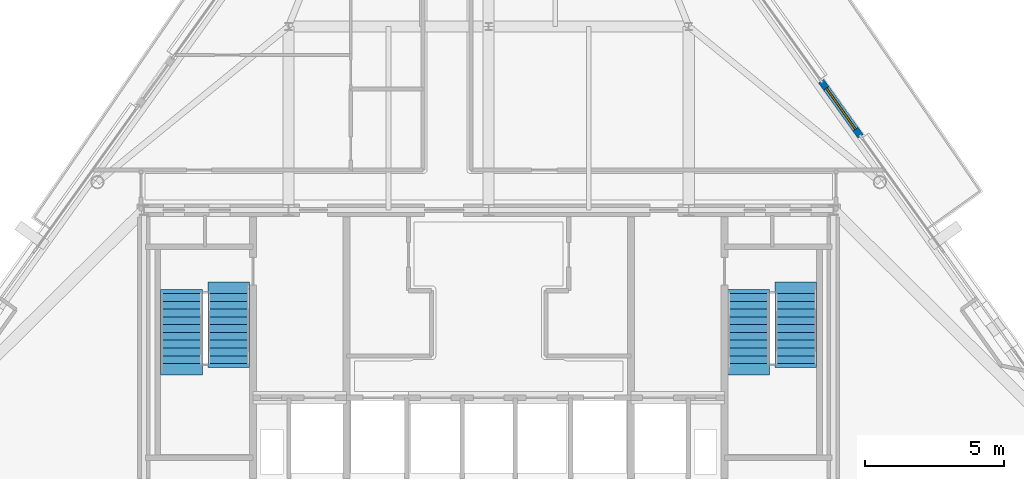
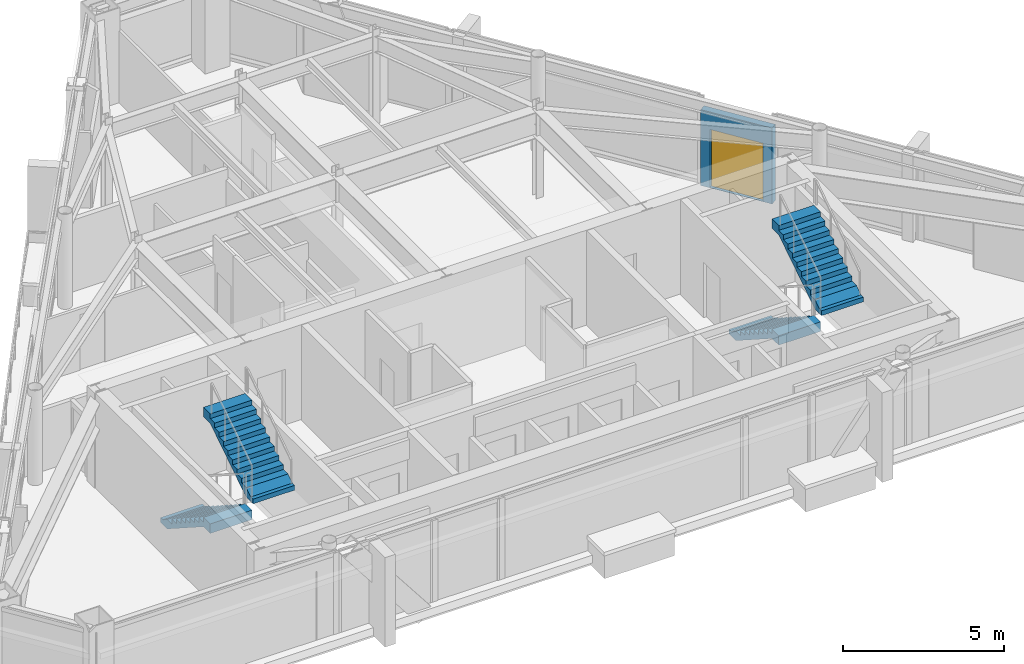
# One storey, part 10 of 12: 4 stair flights, 1 door, 1 wall, 1 opening, 2 elements without a shape of their own.
"""IFC4 building model written with IfcOpenShell, lengths in metres."""

from ifc_helpers import new_model, si_unit, direction, frame, frame_2d, origin, place, context, subcontext, project, spatial, polyline, rectangle, outline, extrude, material, layer, layer_set, type_object, element, fill, aggregate, save


model = new_model("IFC4")

# Units and contexts
model_context = context("Model", 3, precision=1e-05, world=origin(), true_north=direction((0.0, 1.0)))
body_context = subcontext(model_context, "Body", "Model", "MODEL_VIEW")
ifc_project = project(units=[si_unit("LENGTHUNIT", "METRE"), si_unit("AREAUNIT", "SQUARE_METRE"), si_unit("VOLUMEUNIT", "CUBIC_METRE"), si_unit("PLANEANGLEUNIT", "RADIAN"), si_unit("MASSUNIT", "GRAM", prefix="KILO")], contexts=[model_context])

# Site, building, storey
site_placement = place(None, origin())
site = spatial("IfcSite", under=ifc_project, at=site_placement, CompositionType="ELEMENT")
building_placement = place(site_placement, origin())
building = spatial("IfcBuilding", under=site, at=building_placement, Name="Talgorran Terracotta Tower", CompositionType="ELEMENT")
storey_placement = place(building_placement, frame((0.0, 0.0, 270.60009765625)))
storey = spatial("IfcBuildingStorey", under=building, at=storey_placement, Name="L71", CompositionType="ELEMENT", Elevation=270.60009765625)

# Wall, opening, door
ifc_material_1 = material(Name="Concrete C40/50", Category="concrete")
ifc_layer_1 = layer(ifc_material_1, 0.239990234375, Name="WT_BALCONY_SPAND")
ifc_layer_set_1 = layer_set([ifc_layer_1], Name="Concrete C40/50")
wall_type = type_object("IfcWallType", Name="WT_BALCONY_SPAND", PredefinedType="STANDARD", material=ifc_layer_set_1)
wall_placement = place(storey_placement, frame((13.38330078125, -1.546630859375, -0.01513671875), z_axis=(0.0, 0.0, 1.0), x_axis=(-0.58167352525, 0.813422344187, 0.0)))
wall = element("IfcWall", 1, at=wall_placement, inside=storey, type_object=wall_type, Name="WL-L71-BALP-BAL-NE", PredefinedType="STANDARD", context=body_context, shape_type="SweptSolid", body=[
    extrude(rectangle(XDim=2.43994140625, YDim=0.239990234375, at=frame_2d((1.219970703125, 0.0))), origin(), (0.0, 0.0, 1.0), 2.8779296875),
])
opening_placement = place(wall_placement, frame((0.320068359375, 0.0, 0.014892578125)))
opening = element("IfcOpeningElement", 2, at=opening_placement, cuts=wall, Name="Opening D-BAL-L71-1", PredefinedType="OPENING", context=body_context, shape_type="SweptSolid", body=[
    extrude(rectangle(XDim=1.806048828125, YDim=2.203951171875, at=frame_2d((0.89990234375, 1.10205078125))), frame((0.0, 0.1298828125, 0.0), z_axis=(0.0, -1.0, 0.0), x_axis=(1.0, 0.0, 0.0)), (0.0, 0.0, 1.0), 0.260009765625),
])
ifc_material_2 = material(Name="Thermally Broken Aluminium", Category="aluminium")
door_type = type_object("IfcDoorType", Name="DT_BALC_1800", OperationType="SLIDING_TO_LEFT", PredefinedType="DOOR", material=ifc_material_2)
door_placement = place(opening_placement, origin())
door = element("IfcDoor", 3, at=door_placement, inside=storey, type_object=door_type, Name="DR-L71-BAL-BAL-NE", OperationType="SLIDING_TO_LEFT", OverallHeight=2.199951171875, OverallWidth=1.800048828125, PredefinedType="DOOR", context=body_context, shape_type="SweptSolid", body=[
    extrude(rectangle(XDim=1.800048828125, YDim=2.199951171875, at=frame_2d((0.89990234375, 1.10009765625))), frame((0.0, 0.02490234375, 0.0), z_axis=(0.0, -1.0, 0.0), x_axis=(1.0, 0.0, 0.0)), (0.0, 0.0, 1.0), 0.050048828125),
])
fill(opening, door)

# Stair, stair flights
stair_type = type_object("IfcStairType", Name="ST_FIRE_SCISSOR", PredefinedType="HALF_TURN_STAIR", material=ifc_material_1)
stair_1_placement = place(storey_placement, origin())
stair_1 = element("IfcStair", 4, at=stair_1_placement, inside=storey, type_object=stair_type, Name="L71 West Protected Fire Stair ST-01", PredefinedType="HALF_TURN_STAIR")
ifc_layer_2 = layer(ifc_material_1, 0.179931640625, Name="STF_RC_1500")
ifc_layer_set_2 = layer_set([ifc_layer_2], Name="Concrete C40/50")
stair_flight_type = type_object("IfcStairFlightType", Name="STF_RC_1500", PredefinedType="STRAIGHT", material=ifc_layer_set_2)
stair_flight_1_placement = place(storey_placement, frame((-11.050048828125, -7.199951171875, 0.0), z_axis=(0.0, 0.0, 1.0), x_axis=(0.0, -1.0, 0.0)))
stair_flight_1 = element("IfcStairFlight", 5, at=stair_flight_1_placement, type_object=stair_flight_type, Name="ST-01 flight 1", NumberOfRisers=10, NumberOfTreads=9, PredefinedType="STRAIGHT", RiserHeight=0.18, TreadLength=0.28, context=body_context, shape_type="SweptSolid", body=[
    extrude(outline(polyline([(-0.139892578125, 0.0), (-0.139892578125, 0.179931640625), (0.0, 0.179931640625), (0.280029296875, 0.360107421875), (0.56005859375, 0.360107421875), (0.56005859375, 0.5400390625), (0.840087890625, 0.5400390625), (0.840087890625, 0.719970703125), (1.1201171875, 0.719970703125), (1.1201171875, 0.89990234375), (1.39990234375, 0.89990234375), (1.39990234375, 1.080078125), (1.679931640625, 1.080078125), (1.679931640625, 1.260009765625), (1.9599609375, 1.260009765625), (1.9599609375, 1.43994140625), (2.239990234375, 1.43994140625), (2.239990234375, 1.6201171875), (2.52001953125, 1.6201171875), (2.52001953125, 1.800048828125), (2.93994140625, 1.800048828125), (2.93994140625, 1.44189453125), (2.52001953125, 1.44189453125), (0.277099609375, 0.0), (-0.139892578125, 0.0)])), frame((0.0, 0.75, 0.0), z_axis=(0.0, -1.0, 0.0), x_axis=(1.0, 0.0, 0.0)), (0.0, 0.0, 1.0), 1.5),
])
stair_flight_2_placement = place(storey_placement, frame((-9.35009765625, -9.719970703125, 1.7998046875), z_axis=(0.0, 0.0, 1.0), x_axis=(0.0, 1.0, 0.0)))
stair_flight_2 = element("IfcStairFlight", 6, at=stair_flight_2_placement, type_object=stair_flight_type, Name="ST-01 flight 2", NumberOfRisers=10, NumberOfTreads=9, PredefinedType="STRAIGHT", RiserHeight=0.18, TreadLength=0.28, context=body_context, shape_type="SweptSolid", body=[
    extrude(outline(polyline([(-0.139892578125, 0.0), (-0.139892578125, 0.179931640625), (0.0, 0.179931640625), (0.280029296875, 0.360107421875), (0.56005859375, 0.360107421875), (0.56005859375, 0.5400390625), (0.840087890625, 0.5400390625), (0.840087890625, 0.719970703125), (1.1201171875, 0.719970703125), (1.1201171875, 0.89990234375), (1.39990234375, 0.89990234375), (1.39990234375, 1.080078125), (1.679931640625, 1.080078125), (1.679931640625, 1.260009765625), (1.9599609375, 1.260009765625), (1.9599609375, 1.43994140625), (2.239990234375, 1.43994140625), (2.239990234375, 1.6201171875), (2.52001953125, 1.6201171875), (2.52001953125, 1.800048828125), (2.93994140625, 1.800048828125), (2.93994140625, 1.44189453125), (2.52001953125, 1.44189453125), (0.277099609375, 0.0), (-0.139892578125, 0.0)])), frame((0.0, 0.75, 0.0), z_axis=(0.0, -1.0, 0.0), x_axis=(1.0, 0.0, 0.0)), (0.0, 0.0, 1.0), 1.5),
])
aggregate(stair_1, [stair_flight_1, stair_flight_2])

stair_2_placement = place(storey_placement, origin())
stair_2 = element("IfcStair", 7, at=stair_2_placement, inside=storey, type_object=stair_type, Name="L71 East Protected Fire Stair ST-02", PredefinedType="HALF_TURN_STAIR")
stair_flight_3_placement = place(storey_placement, frame((9.35009765625, -7.199951171875, 0.0), z_axis=(0.0, 0.0, 1.0), x_axis=(0.0, -1.0, 0.0)))
stair_flight_3 = element("IfcStairFlight", 8, at=stair_flight_3_placement, type_object=stair_flight_type, Name="ST-02 flight 1", NumberOfRisers=10, NumberOfTreads=9, PredefinedType="STRAIGHT", RiserHeight=0.18, TreadLength=0.28, context=body_context, shape_type="SweptSolid", body=[
    extrude(outline(polyline([(-0.139892578125, 0.0), (-0.139892578125, 0.179931640625), (0.0, 0.179931640625), (0.280029296875, 0.360107421875), (0.56005859375, 0.360107421875), (0.56005859375, 0.5400390625), (0.840087890625, 0.5400390625), (0.840087890625, 0.719970703125), (1.1201171875, 0.719970703125), (1.1201171875, 0.89990234375), (1.39990234375, 0.89990234375), (1.39990234375, 1.080078125), (1.679931640625, 1.080078125), (1.679931640625, 1.260009765625), (1.9599609375, 1.260009765625), (1.9599609375, 1.43994140625), (2.239990234375, 1.43994140625), (2.239990234375, 1.6201171875), (2.52001953125, 1.6201171875), (2.52001953125, 1.800048828125), (2.93994140625, 1.800048828125), (2.93994140625, 1.44189453125), (2.52001953125, 1.44189453125), (0.277099609375, 0.0), (-0.139892578125, 0.0)])), frame((0.0, 0.75, 0.0), z_axis=(0.0, -1.0, 0.0), x_axis=(1.0, 0.0, 0.0)), (0.0, 0.0, 1.0), 1.5),
])
stair_flight_4_placement = place(storey_placement, frame((11.050048828125, -9.719970703125, 1.7998046875), z_axis=(0.0, 0.0, 1.0), x_axis=(0.0, 1.0, 0.0)))
stair_flight_4 = element("IfcStairFlight", 9, at=stair_flight_4_placement, type_object=stair_flight_type, Name="ST-02 flight 2", NumberOfRisers=10, NumberOfTreads=9, PredefinedType="STRAIGHT", RiserHeight=0.18, TreadLength=0.28, context=body_context, shape_type="SweptSolid", body=[
    extrude(outline(polyline([(-0.139892578125, 0.0), (-0.139892578125, 0.179931640625), (0.0, 0.179931640625), (0.280029296875, 0.360107421875), (0.56005859375, 0.360107421875), (0.56005859375, 0.5400390625), (0.840087890625, 0.5400390625), (0.840087890625, 0.719970703125), (1.1201171875, 0.719970703125), (1.1201171875, 0.89990234375), (1.39990234375, 0.89990234375), (1.39990234375, 1.080078125), (1.679931640625, 1.080078125), (1.679931640625, 1.260009765625), (1.9599609375, 1.260009765625), (1.9599609375, 1.43994140625), (2.239990234375, 1.43994140625), (2.239990234375, 1.6201171875), (2.52001953125, 1.6201171875), (2.52001953125, 1.800048828125), (2.93994140625, 1.800048828125), (2.93994140625, 1.44189453125), (2.52001953125, 1.44189453125), (0.277099609375, 0.0), (-0.139892578125, 0.0)])), frame((0.0, 0.75, 0.0), z_axis=(0.0, -1.0, 0.0), x_axis=(1.0, 0.0, 0.0)), (0.0, 0.0, 1.0), 1.5),
])
aggregate(stair_2, [stair_flight_3, stair_flight_4])

save(model, "model.ifc")
